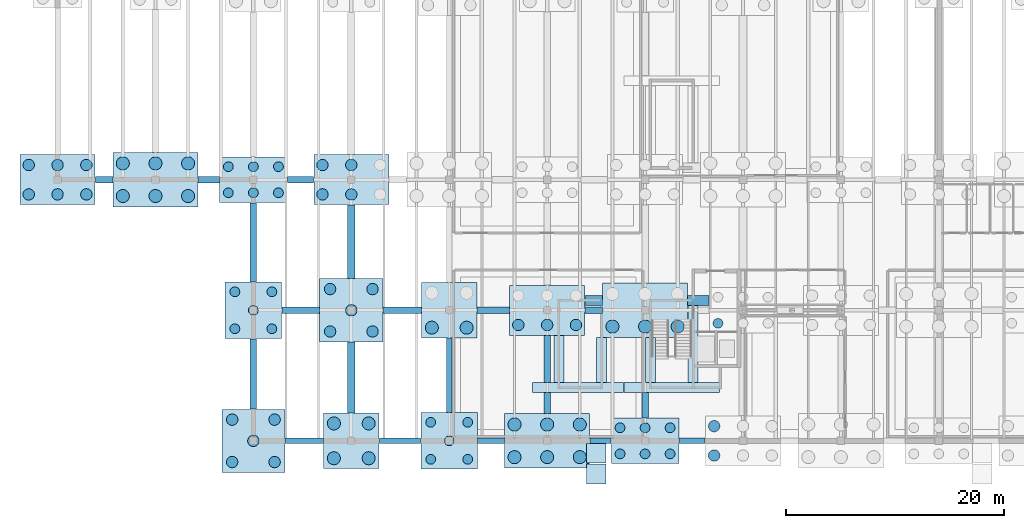
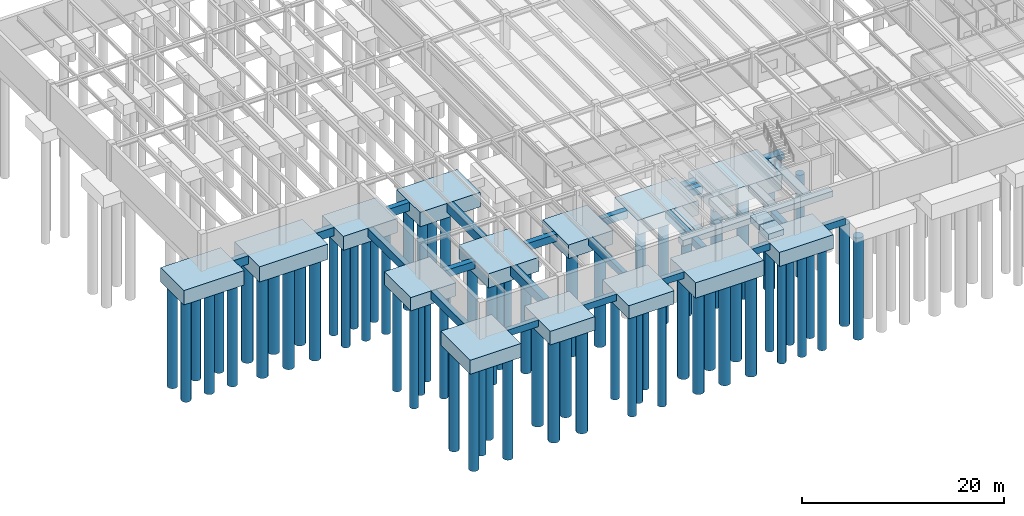
# One storey, part 1 of 40: 69 piles, 44 footings.
"""IFC4 building model written with IfcOpenShell, lengths in metres."""

import ifcopenshell
import ifcopenshell.guid

model = None  # the IFC model being written
_history = None  # IfcOwnerHistory: only IFC2X3 demands one
_inside = {}  # id of a spatial element -> (the spatial element, [elements in it])
_under = {}  # id of a project, library or spatial element -> (it, [spatial elements below it])
_declared = {}  # id of a project -> (the project, [libraries it declares])
_typed = {}  # id of a type object -> (the type object, [elements of that type])
_made_of = {}  # id of a material, layer set ... -> (it, [elements and type objects made of it])


def new_model(schema):
    """Start an empty IFC model of exactly this schema.

    Asked for "IFC4X3", IfcOpenShell would pick the latest addendum, in which some entities
    have other attributes; the version numbers below select the first issue.
    IFC2X3 requires an IfcOwnerHistory on every rooted entity: one is made here for all.
    """
    global model, _history
    if schema == "IFC4X3":
        model = ifcopenshell.file(schema_version=(4, 3, 0, 0))
    else:
        model = ifcopenshell.file(schema=schema)
    _inside.clear()
    _under.clear()
    _declared.clear()
    _typed.clear()
    _made_of.clear()
    _history = None
    if model.schema == "IFC2X3":
        org = make("IfcOrganization", Name="unknown")
        user = make(
            "IfcPersonAndOrganization",
            ThePerson=make("IfcPerson", FamilyName="unknown"),
            TheOrganization=org,
        )
        app = make(
            "IfcApplication",
            ApplicationDeveloper=org,
            Version="unknown",
            ApplicationFullName="unknown",
            ApplicationIdentifier="unknown",
        )
        _history = make(
            "IfcOwnerHistory",
            OwningUser=user,
            OwningApplication=app,
            ChangeAction="ADDED",
            CreationDate=0,
        )
    return model


def make(cls, **values):
    """One entity of the class cls with the attributes given. An attribute that is None is left unset."""
    return model.create_entity(
        cls, **{name: value for name, value in values.items() if value is not None}
    )


def rooted(cls, **values):
    """An entity with a GlobalId (a new one), such as an element, a storey or a relation."""
    return make(cls, GlobalId=ifcopenshell.guid.new(), OwnerHistory=_history, **values)


def si_unit(unit_type, name, prefix=None):
    """IfcSIUnit, for example si_unit("LENGTHUNIT", "METRE", prefix="MILLI")."""
    return make("IfcSIUnit", UnitType=unit_type, Prefix=prefix, Name=name)


def assignment(units):
    """IfcUnitAssignment: the units of a project."""
    return None if units is None else make("IfcUnitAssignment", Units=units)


def point(xyz):
    """IfcCartesianPoint."""
    return None if xyz is None else make("IfcCartesianPoint", Coordinates=xyz)


def direction(xyz):
    """IfcDirection."""
    return None if xyz is None else make("IfcDirection", DirectionRatios=xyz)


def frame(location, z_axis=None, x_axis=None):
    """IfcAxis2Placement3D, a coordinate frame: its origin and axes. An axis left out is left unset."""
    return make(
        "IfcAxis2Placement3D",
        Location=point(location),
        Axis=direction(z_axis),
        RefDirection=direction(x_axis),
    )


def frame_2d(location, x_axis=None):
    """IfcAxis2Placement2D, a coordinate frame in the plane: its origin and x axis."""
    return make(
        "IfcAxis2Placement2D", Location=point(location), RefDirection=direction(x_axis)
    )


def origin():
    """The frame at (0, 0, 0) with its axes left unset."""
    return frame((0.0, 0.0, 0.0))


def origin_2d():
    """The frame at (0, 0) in the plane with its x axis left unset."""
    return frame_2d((0.0, 0.0))


def place(relative_to, where):
    """IfcLocalPlacement: puts the frame where relative to a parent placement (None: the world)."""
    return make(
        "IfcLocalPlacement", PlacementRelTo=relative_to, RelativePlacement=where
    )


def context(
    kind, dimensions, precision=None, world=None, true_north=None, identifier=None
):
    """IfcGeometricRepresentationContext, for example the 3D "Model" context."""
    return make(
        "IfcGeometricRepresentationContext",
        ContextIdentifier=identifier,
        ContextType=kind,
        CoordinateSpaceDimension=dimensions,
        Precision=precision,
        WorldCoordinateSystem=world,
        TrueNorth=true_north,
    )


def subcontext(parent, identifier, kind, view, scale=None):
    """IfcGeometricRepresentationSubContext, for example "Body" below "Model"."""
    return make(
        "IfcGeometricRepresentationSubContext",
        ContextIdentifier=identifier,
        ContextType=kind,
        ParentContext=parent,
        TargetScale=scale,
        TargetView=view,
    )


def project(units=None, contexts=None):
    """IfcProject with its units and contexts."""
    return rooted(
        "IfcProject",
        Name="project",
        RepresentationContexts=contexts,
        UnitsInContext=assignment(units),
    )


def spatial(cls, under=None, at=None, **own):
    """A site, building, storey or space (cls), placed at a placement, below another one or the project."""
    s = rooted(cls, ObjectPlacement=at, **own)
    if under is not None:
        _under.setdefault(under.id(), (under, []))[1].append(s)
    return s


def polyline(points):
    """IfcPolyline through the points."""
    return make("IfcPolyline", Points=[point(p) for p in points])


def profile(cls, at=None, kind="AREA", **sizes):
    """A parametric profile (cls). Its sizes go by their IFC names, for example OverallWidth=200.0."""
    return make(cls, ProfileType=kind, Position=at, **sizes)


def rectangle(**sizes):
    """IfcRectangleProfileDef."""
    return profile("IfcRectangleProfileDef", **sizes)


def circle(**sizes):
    """IfcCircleProfileDef."""
    return profile("IfcCircleProfileDef", **sizes)


def outline(outer, holes=None, kind="AREA"):
    """IfcArbitraryClosedProfileDef: a profile drawn as a closed curve; with holes, ...WithVoids."""
    if holes is None:
        return make("IfcArbitraryClosedProfileDef", ProfileType=kind, OuterCurve=outer)
    return make(
        "IfcArbitraryProfileDefWithVoids",
        ProfileType=kind,
        OuterCurve=outer,
        InnerCurves=holes,
    )


def extrude(swept, where, along, depth):
    """IfcExtrudedAreaSolid: the profile swept, set in the frame where, extruded along a direction by depth."""
    return make(
        "IfcExtrudedAreaSolid",
        SweptArea=swept,
        Position=where,
        ExtrudedDirection=direction(along),
        Depth=depth,
    )


def shape(context_of_items, identifier, shape_type, items):
    """IfcShapeRepresentation: the items that make up one representation, for example the "Body"."""
    return make(
        "IfcShapeRepresentation",
        ContextOfItems=context_of_items,
        RepresentationIdentifier=identifier,
        RepresentationType=shape_type,
        Items=items,
    )


def material(Name=None, Category=None):
    """IfcMaterial."""
    return make("IfcMaterial", Name=Name, Category=Category)


def material_profile(
    of_material, cross_section, Name=None, Category=None, Priority=None
):
    """IfcMaterialProfile: a cross section and its material."""
    return make(
        "IfcMaterialProfile",
        Name=Name,
        Material=of_material,
        Profile=cross_section,
        Priority=Priority,
        Category=Category,
    )


def profile_set(profiles, Name=None, composite=None):
    """IfcMaterialProfileSet."""
    return make(
        "IfcMaterialProfileSet",
        Name=Name,
        MaterialProfiles=profiles,
        CompositeProfile=composite,
    )


def made_of(thing, what):
    """Note that an element or type object is made of a material, layer set ...; save() writes the relation."""
    if what is not None:
        _made_of.setdefault(what.id(), (what, []))[1].append(thing)
    return thing


def type_object(cls, material=None, **own):
    """A type object (cls), such as IfcWallType, which elements share."""
    return made_of(rooted(cls, **own), material)


def element(
    cls,
    number,
    at=None,
    inside=None,
    cuts=None,
    type_object=None,
    material=None,
    context=None,
    identifier="Body",
    shape_type=None,
    held_by="IfcProductDefinitionShape",
    body=None,
    shapes=None,
    **own,
):
    """One element of the class cls, such as IfcWall. Its Tag is "e" and its number.

    at: its placement. inside: the storey or other place that contains it. cuts: it is an
    opening in that element (IfcRelVoidsElement). A single representation is given by context,
    identifier, shape_type and body (its items); several are given by shapes. held_by: the class
    of the entity that holds the representations. save() writes the other relations.
    """
    e = rooted(cls, Tag="e%d" % number, ObjectPlacement=at, **own)
    if body is not None:
        shapes = [shape(context, identifier, shape_type, body)]
    if shapes is not None:
        e.Representation = make(held_by, Representations=shapes)
    if inside is not None:
        _inside.setdefault(inside.id(), (inside, []))[1].append(e)
    if cuts is not None:
        rooted(
            "IfcRelVoidsElement", RelatingBuildingElement=cuts, RelatedOpeningElement=e
        )
    if type_object is not None:
        _typed.setdefault(type_object.id(), (type_object, []))[1].append(e)
    return made_of(e, material)


def aggregate(whole, parts):
    """IfcRelAggregates: a whole, such as a stair, and the parts it consists of."""
    return rooted("IfcRelAggregates", RelatingObject=whole, RelatedObjects=parts)


def save(model, path):
    """Write the relations noted so far, then the file.

    IfcRelAggregates (storeys below a building ...), IfcRelContainedInSpatialStructure (elements
    in a storey), IfcRelDefinesByType, IfcRelAssociatesMaterial and IfcRelDeclares: one each for
    every whole, place, type object, material and project.
    """
    for whole, parts in _under.values():
        aggregate(whole, parts)
    for where, things in _inside.values():
        rooted(
            "IfcRelContainedInSpatialStructure",
            RelatedElements=things,
            RelatingStructure=where,
        )
    for kind, things in _typed.values():
        rooted("IfcRelDefinesByType", RelatedObjects=things, RelatingType=kind)
    for what, things in _made_of.values():
        rooted("IfcRelAssociatesMaterial", RelatedObjects=things, RelatingMaterial=what)
    for by, libraries in _declared.values():
        rooted("IfcRelDeclares", RelatingContext=by, RelatedDefinitions=libraries)
    model.write(path)


model = new_model("IFC4")

# Units and contexts
model_context = context("Model", 3, precision=1e-05, world=origin(), true_north=direction((0.0, 1.0)))
body_context = subcontext(model_context, "Body", "Model", "MODEL_VIEW")
ifc_project = project(units=[si_unit("LENGTHUNIT", "METRE"), si_unit("AREAUNIT", "SQUARE_METRE"), si_unit("VOLUMEUNIT", "CUBIC_METRE"), si_unit("PLANEANGLEUNIT", "RADIAN"), si_unit("MASSUNIT", "GRAM", prefix="KILO")], contexts=[model_context])

# Site, building, storey
site_placement = place(None, origin())
site = spatial("IfcSite", under=ifc_project, at=site_placement, CompositionType="ELEMENT")
building_placement = place(site_placement, origin())
building = spatial("IfcBuilding", under=site, at=building_placement, Name="Montelvaro Courts of Justice", CompositionType="ELEMENT")
storey_placement = place(building_placement, frame((0.0, 0.0, -4.5)))
storey = spatial("IfcBuildingStorey", under=building, at=storey_placement, Name="B01", CompositionType="ELEMENT", Elevation=-4.5)

# Piles
ifc_material = material(Name="Concrete C35/45", Category="concrete")
ifc_material_profile_1 = material_profile(ifc_material, circle(Radius=0.52490234375, at=origin_2d()), Name="BORED PILE D1050")
ifc_profile_set_1 = profile_set([ifc_material_profile_1], Name="Concrete C35/45")
pile_type_1 = type_object("IfcPileType", Name="BoredPile_1050", PredefinedType="BORED", material=ifc_profile_set_1)
for number, where, z_axis, x_axis, name in (
    (1, (-2.64990234375, 22.64990234375, -1.64990234375), (0.0, 0.0, -1.0), (1.0, 0.0, 0.0), "Bored Pile BP-03 1/C-1"),
    (2, (0.0, 22.64990234375, -1.64990234375), (0.0, 0.0, -1.0), (1.0, 0.0, 0.0), "Bored Pile BP-03 1/C-2"),
    (3, (2.64990234375, 22.64990234375, -1.64990234375), (0.0, 0.0, -1.0), (1.0, 0.0, 0.0), "Bored Pile BP-03 1/C-3"),
    (4, (-2.64990234375, 25.35009765625, -1.64990234375), (0.0, 0.0, -1.0), (1.0, 0.0, 0.0), "Bored Pile BP-03 1/C-4"),
    (5, (0.0, 25.35009765625, -1.64990234375), (0.0, 0.0, -1.0), (1.0, 0.0, 0.0), "Bored Pile BP-03 1/C-5"),
    (6, (2.64990234375, 25.35009765625, -1.64990234375), (0.0, 0.0, -1.0), (1.0, 0.0, 0.0), "Bored Pile BP-03 1/C-6"),
):
    element("IfcPile", number, at=place(storey_placement, frame(where, z_axis=z_axis, x_axis=x_axis)), inside=storey, type_object=pile_type_1, Name=name, PredefinedType="BORED", context=body_context, shape_type="SweptSolid", body=[
        extrude(circle(Radius=0.52490234375, at=origin_2d()), origin(), (0.0, 0.0, 1.0), 12.35009765625),
    ])
for number, where, z_axis, x_axis, name in (
    (7, (16.050048828125, -1.949951171875, -1.60009765625), (0.0, 0.0, -1.0), (1.0, 0.0, 0.0), "Bored Pile BP-03 3/A-1"),
    (8, (19.949951171875, -1.949951171875, -1.60009765625), (0.0, 0.0, -1.0), (1.0, 0.0, 0.0), "Bored Pile BP-03 3/A-2"),
    (9, (18.0, 0.0, -1.60009765625), (0.0, 0.0, -1.0), (1.0, 0.0, 0.0), "Bored Pile BP-03 3/A-3"),
    (10, (16.050048828125, 1.949951171875, -1.60009765625), (0.0, 0.0, -1.0), (1.0, 0.0, 0.0), "Bored Pile BP-03 3/A-4"),
    (11, (19.949951171875, 1.949951171875, -1.60009765625), (0.0, 0.0, -1.0), (1.0, 0.0, 0.0), "Bored Pile BP-03 3/A-5"),
    (12, (25.050048828125, 10.050048828125, -1.60009765625), (0.0, 0.0, -1.0), (1.0, 0.0, 0.0), "Bored Pile BP-03 4/B-1"),
    (13, (28.949951171875, 10.050048828125, -1.60009765625), (0.0, 0.0, -1.0), (1.0, 0.0, 0.0), "Bored Pile BP-03 4/B-2"),
    (14, (27.0, 12.0, -1.60009765625), (0.0, 0.0, -1.0), (1.0, 0.0, 0.0), "Bored Pile BP-03 4/B-3"),
    (15, (25.050048828125, 13.949951171875, -1.60009765625), (0.0, 0.0, -1.0), (1.0, 0.0, 0.0), "Bored Pile BP-03 4/B-4"),
    (16, (28.949951171875, 13.949951171875, -1.60009765625), (0.0, 0.0, -1.0), (1.0, 0.0, 0.0), "Bored Pile BP-03 4/B-5"),
):
    element("IfcPile", number, at=place(storey_placement, frame(where, z_axis=z_axis, x_axis=x_axis)), inside=storey, type_object=pile_type_1, Name=name, PredefinedType="BORED", context=body_context, shape_type="SweptSolid", body=[
        extrude(circle(Radius=0.52490234375, at=origin_2d()), origin(), (0.0, 0.0, 1.0), 12.39990234375),
    ])
for number, where, z_axis, x_axis, name in (
    (17, (24.35009765625, 22.64990234375, -1.64990234375), (0.0, 0.0, -1.0), (1.0, 0.0, 0.0), "Bored Pile BP-03 4/C-1"),
    (18, (27.0, 22.64990234375, -1.64990234375), (0.0, 0.0, -1.0), (1.0, 0.0, 0.0), "Bored Pile BP-03 4/C-2"),
    (19, (24.35009765625, 25.35009765625, -1.64990234375), (0.0, 0.0, -1.0), (1.0, 0.0, 0.0), "Bored Pile BP-03 4/C-4"),
    (20, (27.0, 25.35009765625, -1.64990234375), (0.0, 0.0, -1.0), (1.0, 0.0, 0.0), "Bored Pile BP-03 4/C-5"),
    (21, (42.35009765625, 10.64990234375, -1.64990234375), (0.0, 0.0, -1.0), (1.0, 0.0, 0.0), "Bored Pile BP-03 6/B-1"),
    (22, (45.0, 10.64990234375, -1.64990234375), (0.0, 0.0, -1.0), (1.0, 0.0, 0.0), "Bored Pile BP-03 6/B-2"),
    (23, (47.64990234375, 10.64990234375, -1.64990234375), (0.0, 0.0, -1.0), (1.0, 0.0, 0.0), "Bored Pile BP-03 6/B-3"),
    (24, (60.35009765625, -1.35009765625, -1.64990234375), (0.0, 0.0, -1.0), (1.0, 0.0, 0.0), "Bored Pile BP-03 8/A-1"),
    (25, (60.35009765625, 1.35009765625, -1.64990234375), (0.0, 0.0, -1.0), (1.0, 0.0, 0.0), "Bored Pile BP-03 8/A-4"),
):
    element("IfcPile", number, at=place(storey_placement, frame(where, z_axis=z_axis, x_axis=x_axis)), inside=storey, type_object=pile_type_1, Name=name, PredefinedType="BORED", context=body_context, shape_type="SweptSolid", body=[
        extrude(circle(Radius=0.52490234375, at=origin_2d()), origin(), (0.0, 0.0, 1.0), 12.35009765625),
    ])
ifc_material_profile_2 = material_profile(ifc_material, circle(Radius=0.60009765625, at=origin_2d()), Name="BORED PILE D1200")
ifc_profile_set_2 = profile_set([ifc_material_profile_2], Name="Concrete C35/45")
pile_type_2 = type_object("IfcPileType", Name="BoredPile_1200", PredefinedType="BORED", material=ifc_profile_set_2)
for number, where, z_axis, x_axis, name in (
    (26, (6.0, 22.5, -1.75), (0.0, 0.0, -1.0), (1.0, 0.0, 0.0), "Bored Pile BP-04 2/C-1"),
    (27, (9.0, 22.5, -1.75), (0.0, 0.0, -1.0), (1.0, 0.0, 0.0), "Bored Pile BP-04 2/C-2"),
    (28, (12.0, 22.5, -1.75), (0.0, 0.0, -1.0), (1.0, 0.0, 0.0), "Bored Pile BP-04 2/C-3"),
    (29, (6.0, 25.5, -1.75), (0.0, 0.0, -1.0), (1.0, 0.0, 0.0), "Bored Pile BP-04 2/C-4"),
    (30, (9.0, 25.5, -1.75), (0.0, 0.0, -1.0), (1.0, 0.0, 0.0), "Bored Pile BP-04 2/C-5"),
    (31, (12.0, 25.5, -1.75), (0.0, 0.0, -1.0), (1.0, 0.0, 0.0), "Bored Pile BP-04 2/C-6"),
):
    element("IfcPile", number, at=place(storey_placement, frame(where, z_axis=z_axis, x_axis=x_axis)), inside=storey, type_object=pile_type_2, Name=name, PredefinedType="BORED", context=body_context, shape_type="SweptSolid", body=[
        extrude(circle(Radius=0.60009765625, at=origin_2d()), origin(), (0.0, 0.0, 1.0), 12.25),
    ])
for number, where, z_axis, x_axis, name in (
    (32, (25.39990234375, -1.60009765625, -1.550048828125), (0.0, 0.0, -1.0), (1.0, 0.0, 0.0), "Bored Pile BP-04 4/A-1"),
    (33, (28.60009765625, -1.60009765625, -1.550048828125), (0.0, 0.0, -1.0), (1.0, 0.0, 0.0), "Bored Pile BP-04 4/A-2"),
    (34, (25.39990234375, 1.60009765625, -1.550048828125), (0.0, 0.0, -1.0), (1.0, 0.0, 0.0), "Bored Pile BP-04 4/A-3"),
    (35, (28.60009765625, 1.60009765625, -1.550048828125), (0.0, 0.0, -1.0), (1.0, 0.0, 0.0), "Bored Pile BP-04 4/A-4"),
    (36, (34.39990234375, 10.39990234375, -1.550048828125), (0.0, 0.0, -1.0), (1.0, 0.0, 0.0), "Bored Pile BP-04 5/B-1"),
    (37, (37.60009765625, 10.39990234375, -1.550048828125), (0.0, 0.0, -1.0), (1.0, 0.0, 0.0), "Bored Pile BP-04 5/B-2"),
):
    element("IfcPile", number, at=place(storey_placement, frame(where, z_axis=z_axis, x_axis=x_axis)), inside=storey, type_object=pile_type_2, Name=name, PredefinedType="BORED", context=body_context, shape_type="SweptSolid", body=[
        extrude(circle(Radius=0.60009765625, at=origin_2d()), origin(), (0.0, 0.0, 1.0), 12.449951171875),
    ])
for number, where, z_axis, x_axis, name in (
    (38, (42.0, -1.5, -1.75), (0.0, 0.0, -1.0), (1.0, 0.0, 0.0), "Bored Pile BP-04 6/A-1"),
    (39, (45.0, -1.5, -1.75), (0.0, 0.0, -1.0), (1.0, 0.0, 0.0), "Bored Pile BP-04 6/A-2"),
    (40, (48.0, -1.5, -1.75), (0.0, 0.0, -1.0), (1.0, 0.0, 0.0), "Bored Pile BP-04 6/A-3"),
    (41, (42.0, 1.5, -1.75), (0.0, 0.0, -1.0), (1.0, 0.0, 0.0), "Bored Pile BP-04 6/A-4"),
    (42, (45.0, 1.5, -1.75), (0.0, 0.0, -1.0), (1.0, 0.0, 0.0), "Bored Pile BP-04 6/A-5"),
    (43, (48.0, 1.5, -1.75), (0.0, 0.0, -1.0), (1.0, 0.0, 0.0), "Bored Pile BP-04 6/A-6"),
    (44, (51.0, 10.5, -1.75), (0.0, 0.0, -1.0), (1.0, 0.0, 0.0), "Bored Pile BP-04 7/B-1"),
    (45, (54.0, 10.5, -1.75), (0.0, 0.0, -1.0), (1.0, 0.0, 0.0), "Bored Pile BP-04 7/B-2"),
    (46, (57.0, 10.5, -1.75), (0.0, 0.0, -1.0), (1.0, 0.0, 0.0), "Bored Pile BP-04 7/B-3"),
):
    element("IfcPile", number, at=place(storey_placement, frame(where, z_axis=z_axis, x_axis=x_axis)), inside=storey, type_object=pile_type_2, Name=name, PredefinedType="BORED", context=body_context, shape_type="SweptSolid", body=[
        extrude(circle(Radius=0.60009765625, at=origin_2d()), origin(), (0.0, 0.0, 1.0), 12.25),
    ])
ifc_material_profile_3 = material_profile(ifc_material, circle(Radius=0.449951171875, at=origin_2d()), Name="BORED PILE D900")
ifc_profile_set_3 = profile_set([ifc_material_profile_3], Name="Concrete C35/45")
pile_type_3 = type_object("IfcPileType", Name="BoredPile_900", PredefinedType="BORED", material=ifc_profile_set_3)
for number, where, z_axis, x_axis, name in (
    (47, (16.300048828125, 10.300048828125, -1.5), (0.0, 0.0, -1.0), (1.0, 0.0, 0.0), "Bored Pile BP-02 3/B-1"),
    (48, (19.699951171875, 10.300048828125, -1.5), (0.0, 0.0, -1.0), (1.0, 0.0, 0.0), "Bored Pile BP-02 3/B-2"),
    (49, (18.0, 12.0, -1.5), (0.0, 0.0, -1.0), (1.0, 0.0, 0.0), "Bored Pile BP-02 3/B-3"),
    (50, (16.300048828125, 13.699951171875, -1.5), (0.0, 0.0, -1.0), (1.0, 0.0, 0.0), "Bored Pile BP-02 3/B-4"),
    (51, (19.699951171875, 13.699951171875, -1.5), (0.0, 0.0, -1.0), (1.0, 0.0, 0.0), "Bored Pile BP-02 3/B-5"),
):
    element("IfcPile", number, at=place(storey_placement, frame(where, z_axis=z_axis, x_axis=x_axis)), inside=storey, type_object=pile_type_3, Name=name, PredefinedType="BORED", context=body_context, shape_type="SweptSolid", body=[
        extrude(circle(Radius=0.449951171875, at=origin_2d()), origin(), (0.0, 0.0, 1.0), 12.5),
    ])
for number, where, z_axis, x_axis, name in (
    (52, (15.699951171875, 22.800048828125, -1.60009765625), (0.0, 0.0, -1.0), (1.0, 0.0, 0.0), "Bored Pile BP-02 3/C-1"),
    (53, (18.0, 22.800048828125, -1.60009765625), (0.0, 0.0, -1.0), (1.0, 0.0, 0.0), "Bored Pile BP-02 3/C-2"),
    (54, (20.300048828125, 22.800048828125, -1.60009765625), (0.0, 0.0, -1.0), (1.0, 0.0, 0.0), "Bored Pile BP-02 3/C-3"),
    (55, (15.699951171875, 25.199951171875, -1.60009765625), (0.0, 0.0, -1.0), (1.0, 0.0, 0.0), "Bored Pile BP-02 3/C-4"),
    (56, (18.0, 25.199951171875, -1.60009765625), (0.0, 0.0, -1.0), (1.0, 0.0, 0.0), "Bored Pile BP-02 3/C-5"),
    (57, (20.300048828125, 25.199951171875, -1.60009765625), (0.0, 0.0, -1.0), (1.0, 0.0, 0.0), "Bored Pile BP-02 3/C-6"),
):
    element("IfcPile", number, at=place(storey_placement, frame(where, z_axis=z_axis, x_axis=x_axis)), inside=storey, type_object=pile_type_3, Name=name, PredefinedType="BORED", context=body_context, shape_type="SweptSolid", body=[
        extrude(circle(Radius=0.449951171875, at=origin_2d()), origin(), (0.0, 0.0, 1.0), 12.39990234375),
    ])
for number, where, z_axis, x_axis, name in (
    (58, (34.300048828125, -1.699951171875, -1.5), (0.0, 0.0, -1.0), (1.0, 0.0, 0.0), "Bored Pile BP-02 5/A-1"),
    (59, (37.699951171875, -1.699951171875, -1.5), (0.0, 0.0, -1.0), (1.0, 0.0, 0.0), "Bored Pile BP-02 5/A-2"),
    (60, (36.0, 0.0, -1.5), (0.0, 0.0, -1.0), (1.0, 0.0, 0.0), "Bored Pile BP-02 5/A-3"),
    (61, (34.300048828125, 1.699951171875, -1.5), (0.0, 0.0, -1.0), (1.0, 0.0, 0.0), "Bored Pile BP-02 5/A-4"),
    (62, (37.699951171875, 1.699951171875, -1.5), (0.0, 0.0, -1.0), (1.0, 0.0, 0.0), "Bored Pile BP-02 5/A-5"),
):
    element("IfcPile", number, at=place(storey_placement, frame(where, z_axis=z_axis, x_axis=x_axis)), inside=storey, type_object=pile_type_3, Name=name, PredefinedType="BORED", context=body_context, shape_type="SweptSolid", body=[
        extrude(circle(Radius=0.449951171875, at=origin_2d()), origin(), (0.0, 0.0, 1.0), 12.5),
    ])
for number, where, z_axis, x_axis, name in (
    (63, (51.699951171875, -1.199951171875, -1.60009765625), (0.0, 0.0, -1.0), (1.0, 0.0, 0.0), "Bored Pile BP-02 7/A-1"),
    (64, (54.0, -1.199951171875, -1.60009765625), (0.0, 0.0, -1.0), (1.0, 0.0, 0.0), "Bored Pile BP-02 7/A-2"),
    (65, (56.300048828125, -1.199951171875, -1.60009765625), (0.0, 0.0, -1.0), (1.0, 0.0, 0.0), "Bored Pile BP-02 7/A-3"),
    (66, (51.699951171875, 1.199951171875, -1.60009765625), (0.0, 0.0, -1.0), (1.0, 0.0, 0.0), "Bored Pile BP-02 7/A-4"),
    (67, (54.0, 1.199951171875, -1.60009765625), (0.0, 0.0, -1.0), (1.0, 0.0, 0.0), "Bored Pile BP-02 7/A-5"),
    (68, (56.300048828125, 1.199951171875, -1.60009765625), (0.0, 0.0, -1.0), (1.0, 0.0, 0.0), "Bored Pile BP-02 7/A-6"),
    (69, (60.699951171875, 10.800048828125, -1.60009765625), (0.0, 0.0, -1.0), (1.0, 0.0, 0.0), "Bored Pile BP-02 8/B-1"),
):
    element("IfcPile", number, at=place(storey_placement, frame(where, z_axis=z_axis, x_axis=x_axis)), inside=storey, type_object=pile_type_3, Name=name, PredefinedType="BORED", context=body_context, shape_type="SweptSolid", body=[
        extrude(circle(Radius=0.449951171875, at=origin_2d()), origin(), (0.0, 0.0, 1.0), 12.39990234375),
    ])

# Footings
footing_type_1 = type_object("IfcFootingType", Name="GroundBeam_500x800", PredefinedType="FOOTING_BEAM", material=ifc_material)
footing_1_placement = place(storey_placement, frame((0.0, 0.0, -0.800048828125)))
element("IfcFooting", 70, at=footing_1_placement, inside=storey, type_object=footing_type_1, Name="Foundation Ground Beam GB-01", PredefinedType="FOOTING_BEAM", context=body_context, shape_type="SweptSolid", body=[
    extrude(outline(polyline([(20.919921875, -0.25), (24.429931640625, -0.25), (24.429931640625, 0.25), (20.919921875, 0.25), (20.919921875, -0.25)])), origin(), (0.0, 0.0, 1.0), 0.800048828125),
])
footing_2_placement = place(storey_placement, frame((0.0, 0.0, -0.800048828125)))
element("IfcFooting", 71, at=footing_2_placement, inside=storey, type_object=footing_type_1, Name="Foundation Ground Beam GB-01", PredefinedType="FOOTING_BEAM", context=body_context, shape_type="SweptSolid", body=[
    extrude(outline(polyline([(29.570068359375, -0.25), (33.3798828125, -0.25), (33.3798828125, 0.25), (29.570068359375, 0.25), (29.570068359375, -0.25)])), origin(), (0.0, 0.0, 1.0), 0.800048828125),
])
footing_3_placement = place(storey_placement, frame((0.0, 0.0, -0.800048828125)))
element("IfcFooting", 72, at=footing_3_placement, inside=storey, type_object=footing_type_1, Name="Foundation Ground Beam GB-01", PredefinedType="FOOTING_BEAM", context=body_context, shape_type="SweptSolid", body=[
    extrude(outline(polyline([(38.6201171875, -0.25), (41.080078125, -0.25), (41.080078125, 0.25), (38.6201171875, 0.25), (38.6201171875, -0.25)])), origin(), (0.0, 0.0, 1.0), 0.800048828125),
])
footing_4_placement = place(storey_placement, frame((0.0, 0.0, -0.800048828125)))
element("IfcFooting", 73, at=footing_4_placement, inside=storey, type_object=footing_type_1, Name="Foundation Ground Beam GB-01", PredefinedType="FOOTING_BEAM", context=body_context, shape_type="SweptSolid", body=[
    extrude(outline(polyline([(48.919921875, -0.25), (50.8798828125, -0.25), (50.8798828125, 0.25), (48.919921875, 0.25), (48.919921875, -0.25)])), origin(), (0.0, 0.0, 1.0), 0.800048828125),
])
footing_5_placement = place(storey_placement, frame((0.0, 0.0, -0.800048828125)))
element("IfcFooting", 74, at=footing_5_placement, inside=storey, type_object=footing_type_1, Name="Foundation Ground Beam GB-01", PredefinedType="FOOTING_BEAM", context=body_context, shape_type="SweptSolid", body=[
    extrude(outline(polyline([(57.1201171875, -0.25), (59.530029296875, -0.25), (59.530029296875, 0.25), (57.1201171875, 0.25), (57.1201171875, -0.25)])), origin(), (0.0, 0.0, 1.0), 0.800048828125),
])
footing_6_placement = place(storey_placement, frame((0.0, 0.0, -0.800048828125)))
element("IfcFooting", 75, at=footing_6_placement, inside=storey, type_object=footing_type_1, Name="Foundation Ground Beam GB-01", PredefinedType="FOOTING_BEAM", context=body_context, shape_type="SweptSolid", body=[
    extrude(outline(polyline([(35.75, 2.6201171875), (36.25, 2.6201171875), (36.25, 9.429931640625), (35.75, 9.429931640625), (35.75, 2.6201171875)])), origin(), (0.0, 0.0, 1.0), 0.800048828125),
])
footing_type_2 = type_object("IfcFootingType", Name="GroundBeam_600x1000", PredefinedType="FOOTING_BEAM", material=ifc_material)
footing_7_placement = place(storey_placement, frame((0.0, 0.0, -1.0)))
element("IfcFooting", 76, at=footing_7_placement, inside=storey, type_object=footing_type_2, Name="Foundation Ground Beam GB-03", PredefinedType="FOOTING_BEAM", context=body_context, shape_type="SweptSolid", body=[
    extrude(outline(polyline([(3.469970703125, 23.699951171875), (5.080078125, 23.699951171875), (5.080078125, 24.300048828125), (3.469970703125, 24.300048828125), (3.469970703125, 23.699951171875)])), origin(), (0.0, 0.0, 1.0), 1.0),
])
footing_8_placement = place(storey_placement, frame((0.0, 0.0, -1.0)))
element("IfcFooting", 77, at=footing_8_placement, inside=storey, type_object=footing_type_2, Name="Foundation Ground Beam GB-03", PredefinedType="FOOTING_BEAM", context=body_context, shape_type="SweptSolid", body=[
    extrude(outline(polyline([(12.919921875, 23.699951171875), (14.8798828125, 23.699951171875), (14.8798828125, 24.300048828125), (12.919921875, 24.300048828125), (12.919921875, 23.699951171875)])), origin(), (0.0, 0.0, 1.0), 1.0),
])
footing_9_placement = place(storey_placement, frame((0.0, 0.0, -1.0)))
element("IfcFooting", 78, at=footing_9_placement, inside=storey, type_object=footing_type_2, Name="Foundation Ground Beam GB-03", PredefinedType="FOOTING_BEAM", context=body_context, shape_type="SweptSolid", body=[
    extrude(outline(polyline([(21.1201171875, 23.699951171875), (23.530029296875, 23.699951171875), (23.530029296875, 24.300048828125), (21.1201171875, 24.300048828125), (21.1201171875, 23.699951171875)])), origin(), (0.0, 0.0, 1.0), 1.0),
])
footing_10_placement = place(storey_placement, frame((0.0, 0.0, -1.0)))
element("IfcFooting", 79, at=footing_10_placement, inside=storey, type_object=footing_type_2, Name="Foundation Ground Beam GB-03", PredefinedType="FOOTING_BEAM", context=body_context, shape_type="SweptSolid", body=[
    extrude(outline(polyline([(17.699951171875, 2.919921875), (18.300048828125, 2.919921875), (18.300048828125, 9.3798828125), (17.699951171875, 9.3798828125), (17.699951171875, 2.919921875)])), origin(), (0.0, 0.0, 1.0), 1.0),
])
footing_11_placement = place(storey_placement, frame((0.0, 0.0, -1.0)))
element("IfcFooting", 80, at=footing_11_placement, inside=storey, type_object=footing_type_2, Name="Foundation Ground Beam GB-03", PredefinedType="FOOTING_BEAM", context=body_context, shape_type="SweptSolid", body=[
    extrude(outline(polyline([(17.699951171875, 14.6201171875), (18.300048828125, 14.6201171875), (18.300048828125, 21.8798828125), (17.699951171875, 21.8798828125), (17.699951171875, 14.6201171875)])), origin(), (0.0, 0.0, 1.0), 1.0),
])
footing_12_placement = place(storey_placement, frame((0.0, 0.0, -1.0)))
element("IfcFooting", 81, at=footing_12_placement, inside=storey, type_object=footing_type_2, Name="Foundation Ground Beam GB-03", PredefinedType="FOOTING_BEAM", context=body_context, shape_type="SweptSolid", body=[
    extrude(outline(polyline([(53.699951171875, 2.1201171875), (54.300048828125, 2.1201171875), (54.300048828125, 4.429931640625), (53.699951171875, 4.429931640625), (53.699951171875, 2.1201171875)])), origin(), (0.0, 0.0, 1.0), 1.0),
])
footing_type_3 = type_object("IfcFootingType", Name="GroundBeam_600x900", PredefinedType="FOOTING_BEAM", material=ifc_material)
footing_13_placement = place(storey_placement, frame((0.0, 0.0, -0.89990234375)))
element("IfcFooting", 82, at=footing_13_placement, inside=storey, type_object=footing_type_3, Name="Foundation Ground Beam GB-02", PredefinedType="FOOTING_BEAM", context=body_context, shape_type="SweptSolid", body=[
    extrude(outline(polyline([(20.6201171875, 11.699951171875), (24.080078125, 11.699951171875), (24.080078125, 12.300048828125), (20.6201171875, 12.300048828125), (20.6201171875, 11.699951171875)])), origin(), (0.0, 0.0, 1.0), 0.89990234375),
])
footing_14_placement = place(storey_placement, frame((0.0, 0.0, -0.89990234375)))
element("IfcFooting", 83, at=footing_14_placement, inside=storey, type_object=footing_type_3, Name="Foundation Ground Beam GB-02", PredefinedType="FOOTING_BEAM", context=body_context, shape_type="SweptSolid", body=[
    extrude(outline(polyline([(29.919921875, 11.699951171875), (33.429931640625, 11.699951171875), (33.429931640625, 12.300048828125), (29.919921875, 12.300048828125), (29.919921875, 11.699951171875)])), origin(), (0.0, 0.0, 1.0), 0.89990234375),
])
footing_15_placement = place(storey_placement, frame((0.0, 0.0, -0.89990234375)))
element("IfcFooting", 84, at=footing_15_placement, inside=storey, type_object=footing_type_3, Name="Foundation Ground Beam GB-02", PredefinedType="FOOTING_BEAM", context=body_context, shape_type="SweptSolid", body=[
    extrude(outline(polyline([(38.570068359375, 11.699951171875), (41.530029296875, 11.699951171875), (41.530029296875, 12.300048828125), (38.570068359375, 12.300048828125), (38.570068359375, 11.699951171875)])), origin(), (0.0, 0.0, 1.0), 0.89990234375),
])
footing_16_placement = place(storey_placement, frame((0.0, 0.0, -0.89990234375)))
element("IfcFooting", 85, at=footing_16_placement, inside=storey, type_object=footing_type_3, Name="Foundation Ground Beam GB-02", PredefinedType="FOOTING_BEAM", context=body_context, shape_type="SweptSolid", body=[
    extrude(outline(polyline([(48.469970703125, 11.699951171875), (50.080078125, 11.699951171875), (50.080078125, 12.300048828125), (48.469970703125, 12.300048828125), (48.469970703125, 11.699951171875)])), origin(), (0.0, 0.0, 1.0), 0.89990234375),
])
footing_17_placement = place(storey_placement, frame((0.0, 0.0, -0.89990234375)))
element("IfcFooting", 86, at=footing_17_placement, inside=storey, type_object=footing_type_3, Name="Foundation Ground Beam GB-02", PredefinedType="FOOTING_BEAM", context=body_context, shape_type="SweptSolid", body=[
    extrude(outline(polyline([(44.699951171875, 2.52001953125), (45.300048828125, 2.52001953125), (45.300048828125, 4.429931640625), (44.699951171875, 4.429931640625), (44.699951171875, 2.52001953125)])), origin(), (0.0, 0.0, 1.0), 0.89990234375),
])
footing_18_placement = place(storey_placement, frame((0.0, 0.0, -0.89990234375)))
element("IfcFooting", 87, at=footing_18_placement, inside=storey, type_object=footing_type_3, Name="Foundation Ground Beam GB-02", PredefinedType="FOOTING_BEAM", context=body_context, shape_type="SweptSolid", body=[
    extrude(outline(polyline([(44.699951171875, 5.3701171875), (45.300048828125, 5.3701171875), (45.300048828125, 9.679931640625), (44.699951171875, 9.679931640625), (44.699951171875, 5.3701171875)])), origin(), (0.0, 0.0, 1.0), 0.89990234375),
])
footing_type_4 = type_object("IfcFootingType", Name="GroundBeam_700x1100", PredefinedType="FOOTING_BEAM", material=ifc_material)
footing_19_placement = place(storey_placement, frame((0.0, 0.0, -1.10009765625)))
element("IfcFooting", 88, at=footing_19_placement, inside=storey, type_object=footing_type_4, Name="Foundation Ground Beam GB-04", PredefinedType="FOOTING_BEAM", context=body_context, shape_type="SweptSolid", body=[
    extrude(outline(polyline([(26.64990234375, 2.570068359375), (27.35009765625, 2.570068359375), (27.35009765625, 9.080078125), (26.64990234375, 9.080078125), (26.64990234375, 2.570068359375)])), origin(), (0.0, 0.0, 1.0), 1.10009765625),
])
footing_20_placement = place(storey_placement, frame((0.0, 0.0, -1.10009765625)))
element("IfcFooting", 89, at=footing_20_placement, inside=storey, type_object=footing_type_4, Name="Foundation Ground Beam GB-04", PredefinedType="FOOTING_BEAM", context=body_context, shape_type="SweptSolid", body=[
    extrude(outline(polyline([(26.64990234375, 14.919921875), (27.35009765625, 14.919921875), (27.35009765625, 21.679931640625), (26.64990234375, 21.679931640625), (26.64990234375, 14.919921875)])), origin(), (0.0, 0.0, 1.0), 1.10009765625),
])
footing_type_5 = type_object("IfcFootingType", Name="PadFooting_180x180x70", PredefinedType="PAD_FOOTING", material=ifc_material)
for number, where, z_axis, x_axis, name in (
    (90, (49.5, -3.050048828125, 3.43017578125), (0.0, 0.0, 1.0), (1.0, 0.0, 0.0), "Accessible Ramp Toe Footing AR-01"),
    (91, (49.5, -1.14990234375, 3.43017578125), (0.0, 0.0, 1.0), (1.0, 0.0, 0.0), "Accessible Ramp Head Footing AR-01"),
):
    element("IfcFooting", number, at=place(storey_placement, frame(where, z_axis=z_axis, x_axis=x_axis)), inside=storey, type_object=footing_type_5, Name=name, PredefinedType="PAD_FOOTING", context=body_context, shape_type="SweptSolid", body=[
        extrude(rectangle(XDim=1.800048828125, YDim=1.800048828125, at=origin_2d()), origin(), (0.0, 0.0, 1.0), 0.699951171875),
    ])
footing_type_6 = type_object("IfcFootingType", Name="PileCap_4P_510x510x165", PredefinedType="PILE_CAP", material=ifc_material)
for number, where, z_axis, x_axis, name in (
    (92, (27.0, 0.0, -1.64990234375), (0.0, 0.0, 1.0), (1.0, 0.0, 0.0), "Pile Cap PC-13 at 4/A"),
    (93, (36.0, 12.0, -1.64990234375), (0.0, 0.0, 1.0), (1.0, 0.0, 0.0), "Pile Cap PC-13 at 5/B"),
):
    element("IfcFooting", number, at=place(storey_placement, frame(where, z_axis=z_axis, x_axis=x_axis)), inside=storey, type_object=footing_type_6, Name=name, PredefinedType="PILE_CAP", context=body_context, shape_type="SweptSolid", body=[
        extrude(rectangle(XDim=5.10009765625, YDim=5.10009765625, at=origin_2d()), origin(), (0.0, 0.0, 1.0), 1.64990234375),
    ])
footing_type_7 = type_object("IfcFootingType", Name="PileCap_5P_520x520x160", PredefinedType="PILE_CAP", material=ifc_material)
for number, where, z_axis, x_axis, name in (
    (94, (18.0, 12.0, -1.60009765625), (0.0, 0.0, 1.0), (1.0, 0.0, 0.0), "Pile Cap PC-14 at 3/B"),
    (95, (36.0, 0.0, -1.60009765625), (0.0, 0.0, 1.0), (1.0, 0.0, 0.0), "Pile Cap PC-14 at 5/A"),
):
    element("IfcFooting", number, at=place(storey_placement, frame(where, z_axis=z_axis, x_axis=x_axis)), inside=storey, type_object=footing_type_7, Name=name, PredefinedType="PILE_CAP", context=body_context, shape_type="SweptSolid", body=[
        extrude(rectangle(XDim=5.199951171875, YDim=5.199951171875, at=origin_2d()), origin(), (0.0, 0.0, 1.0), 1.60009765625),
    ])
footing_type_8 = type_object("IfcFootingType", Name="PileCap_5P_580x580x170", PredefinedType="PILE_CAP", material=ifc_material)
for number, where, z_axis, x_axis, name in (
    (96, (18.0, 0.0, -1.7001953125), (0.0, 0.0, 1.0), (1.0, 0.0, 0.0), "Pile Cap PC-15 at 3/A"),
    (97, (27.0, 12.0, -1.7001953125), (0.0, 0.0, 1.0), (1.0, 0.0, 0.0), "Pile Cap PC-15 at 4/B"),
):
    element("IfcFooting", number, at=place(storey_placement, frame(where, z_axis=z_axis, x_axis=x_axis)), inside=storey, type_object=footing_type_8, Name=name, PredefinedType="PILE_CAP", context=body_context, shape_type="SweptSolid", body=[
        extrude(rectangle(XDim=5.800048828125, YDim=5.800048828125, at=origin_2d()), origin(), (0.0, 0.0, 1.0), 1.699951171875),
    ])
footing_type_9 = type_object("IfcFootingType", Name="PileCap_6P_620x420x170", PredefinedType="PILE_CAP", material=ifc_material)
for number, where, z_axis, x_axis, name in (
    (98, (18.0, 24.0, -1.7001953125), (0.0, 0.0, 1.0), (1.0, 0.0, 0.0), "Pile Cap PC-16 at 3/C"),
    (99, (54.0, 0.0, -1.7001953125), (0.0, 0.0, 1.0), (1.0, 0.0, 0.0), "Pile Cap PC-16 at 7/A"),
):
    element("IfcFooting", number, at=place(storey_placement, frame(where, z_axis=z_axis, x_axis=x_axis)), inside=storey, type_object=footing_type_9, Name=name, PredefinedType="PILE_CAP", context=body_context, shape_type="SweptSolid", body=[
        extrude(rectangle(XDim=6.199951171875, YDim=4.199951171875, at=origin_2d()), origin(), (0.0, 0.0, 1.0), 1.699951171875),
    ])
footing_type_10 = type_object("IfcFootingType", Name="PileCap_6P_690x460x175", PredefinedType="PILE_CAP", material=ifc_material)
for number, where, z_axis, x_axis, name in (
    (100, (0.0, 24.0, -1.75), (0.0, 0.0, 1.0), (1.0, 0.0, 0.0), "Pile Cap PC-17 at 1/C"),
    (101, (27.0, 24.0, -1.75), (0.0, 0.0, 1.0), (1.0, 0.0, 0.0), "Pile Cap PC-17 at 4/C"),
    (102, (45.0, 12.0, -1.75), (0.0, 0.0, 1.0), (1.0, 0.0, 0.0), "Pile Cap PC-17 at 6/B"),
):
    element("IfcFooting", number, at=place(storey_placement, frame(where, z_axis=z_axis, x_axis=x_axis)), inside=storey, type_object=footing_type_10, Name=name, PredefinedType="PILE_CAP", context=body_context, shape_type="SweptSolid", body=[
        extrude(rectangle(XDim=6.89990234375, YDim=4.60009765625, at=origin_2d()), origin(), (0.0, 0.0, 1.0), 1.75),
    ])
footing_type_11 = type_object("IfcFootingType", Name="PileCap_6P_780x500x185", PredefinedType="PILE_CAP", material=ifc_material)
for number, where, z_axis, x_axis, name in (
    (103, (9.0, 24.0, -1.85009765625), (0.0, 0.0, 1.0), (1.0, 0.0, 0.0), "Pile Cap PC-18 at 2/C"),
    (104, (45.0, 0.0, -1.85009765625), (0.0, 0.0, 1.0), (1.0, 0.0, 0.0), "Pile Cap PC-18 at 6/A"),
    (105, (54.0, 12.0, -1.85009765625), (0.0, 0.0, 1.0), (1.0, 0.0, 0.0), "Pile Cap PC-18 at 7/B"),
):
    element("IfcFooting", number, at=place(storey_placement, frame(where, z_axis=z_axis, x_axis=x_axis)), inside=storey, type_object=footing_type_11, Name=name, PredefinedType="PILE_CAP", context=body_context, shape_type="SweptSolid", body=[
        extrude(rectangle(XDim=7.800048828125, YDim=5.0, at=origin_2d()), origin(), (0.0, 0.0, 1.0), 1.85009765625),
    ])
footing_type_12 = type_object("IfcFootingType", Name="StripFooting_900x700", PredefinedType="STRIP_FOOTING", material=ifc_material)
footing_21_placement = place(storey_placement, frame((0.0, 0.0, -0.699951171875)))
element("IfcFooting", 106, at=footing_21_placement, inside=storey, type_object=footing_type_12, Name="Stair and Plinth Strip Footing SFG-01-01", PredefinedType="STRIP_FOOTING", context=body_context, shape_type="SweptSolid", body=[
    extrude(outline(polyline([(52.050048828125, 4.449951171875), (60.85009765625, 4.449951171875), (60.85009765625, 5.35009765625), (52.050048828125, 5.35009765625), (52.050048828125, 4.449951171875)])), origin(), (0.0, 0.0, 1.0), 0.699951171875),
])
footing_22_placement = place(storey_placement, frame((0.0, 0.0, -0.699951171875)))
element("IfcFooting", 107, at=footing_22_placement, inside=storey, type_object=footing_type_12, Name="Stair and Plinth Strip Footing SFG-01-02", PredefinedType="STRIP_FOOTING", context=body_context, shape_type="SweptSolid", body=[
    extrude(outline(polyline([(57.919921875, 12.449951171875), (59.8798828125, 12.449951171875), (59.8798828125, 13.35009765625), (57.919921875, 13.35009765625), (57.919921875, 12.449951171875)])), origin(), (0.0, 0.0, 1.0), 0.699951171875),
])
footing_23_placement = place(storey_placement, frame((0.0, 0.0, -0.699951171875)))
element("IfcFooting", 108, at=footing_23_placement, inside=storey, type_object=footing_type_12, Name="Stair and Plinth Strip Footing SFG-01-03", PredefinedType="STRIP_FOOTING", context=body_context, shape_type="SweptSolid", body=[
    extrude(outline(polyline([(54.050048828125, 5.3701171875), (54.949951171875, 5.3701171875), (54.949951171875, 9.47998046875), (54.050048828125, 9.47998046875), (54.050048828125, 5.3701171875)])), origin(), (0.0, 0.0, 1.0), 0.699951171875),
])
footing_24_placement = place(storey_placement, frame((0.0, 0.0, -0.699951171875)))
element("IfcFooting", 109, at=footing_24_placement, inside=storey, type_object=footing_type_12, Name="Stair and Plinth Strip Footing SFG-01-04", PredefinedType="STRIP_FOOTING", context=body_context, shape_type="SweptSolid", body=[
    extrude(outline(polyline([(57.949951171875, 5.3701171875), (58.85009765625, 5.3701171875), (58.85009765625, 12.429931640625), (57.949951171875, 12.429931640625), (57.949951171875, 5.3701171875)])), origin(), (0.0, 0.0, 1.0), 0.699951171875),
])
footing_25_placement = place(storey_placement, frame((0.0, 0.0, -0.699951171875)))
element("IfcFooting", 110, at=footing_25_placement, inside=storey, type_object=footing_type_12, Name="Stair and Plinth Strip Footing SFG-01-21", PredefinedType="STRIP_FOOTING", context=body_context, shape_type="SweptSolid", body=[
    extrude(outline(polyline([(43.64990234375, 4.449951171875), (52.030029296875, 4.449951171875), (52.030029296875, 5.35009765625), (43.64990234375, 5.35009765625), (43.64990234375, 4.449951171875)])), origin(), (0.0, 0.0, 1.0), 0.699951171875),
])
footing_26_placement = place(storey_placement, frame((0.0, 0.0, -0.699951171875)))
element("IfcFooting", 111, at=footing_26_placement, inside=storey, type_object=footing_type_12, Name="Stair and Plinth Strip Footing SFG-01-22", PredefinedType="STRIP_FOOTING", context=body_context, shape_type="SweptSolid", body=[
    extrude(outline(polyline([(48.469970703125, 12.449951171875), (50.080078125, 12.449951171875), (50.080078125, 13.35009765625), (48.469970703125, 13.35009765625), (48.469970703125, 12.449951171875)])), origin(), (0.0, 0.0, 1.0), 0.699951171875),
])
footing_27_placement = place(storey_placement, frame((0.0, 0.0, -0.699951171875)))
element("IfcFooting", 112, at=footing_27_placement, inside=storey, type_object=footing_type_12, Name="Stair and Plinth Strip Footing SFG-01-23", PredefinedType="STRIP_FOOTING", context=body_context, shape_type="SweptSolid", body=[
    extrude(outline(polyline([(45.64990234375, 5.3701171875), (46.550048828125, 5.3701171875), (46.550048828125, 9.679931640625), (45.64990234375, 9.679931640625), (45.64990234375, 5.3701171875)])), origin(), (0.0, 0.0, 1.0), 0.699951171875),
])
footing_28_placement = place(storey_placement, frame((0.0, 0.0, -0.699951171875)))
element("IfcFooting", 113, at=footing_28_placement, inside=storey, type_object=footing_type_12, Name="Stair and Plinth Strip Footing SFG-01-24", PredefinedType="STRIP_FOOTING", context=body_context, shape_type="SweptSolid", body=[
    extrude(outline(polyline([(49.550048828125, 5.3701171875), (50.449951171875, 5.3701171875), (50.449951171875, 9.47998046875), (49.550048828125, 9.47998046875), (49.550048828125, 5.3701171875)])), origin(), (0.0, 0.0, 1.0), 0.699951171875),
])

save(model, "model.ifc")
